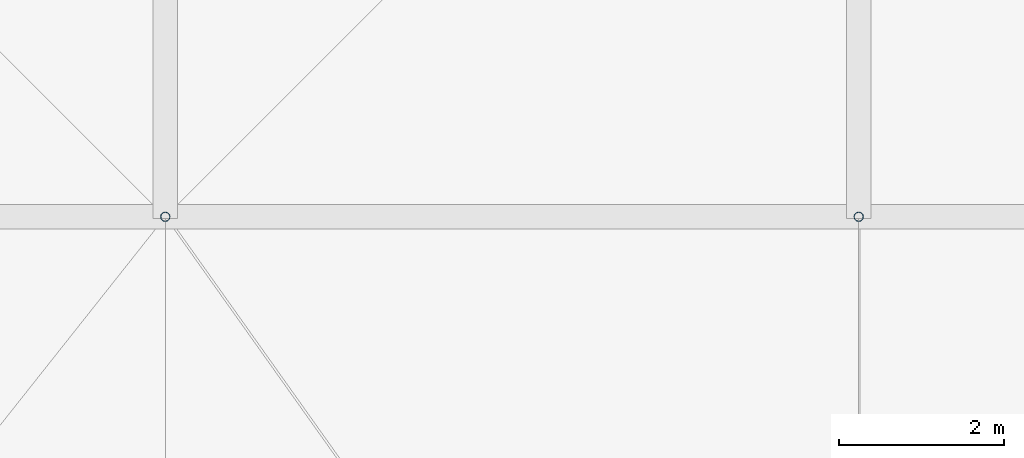
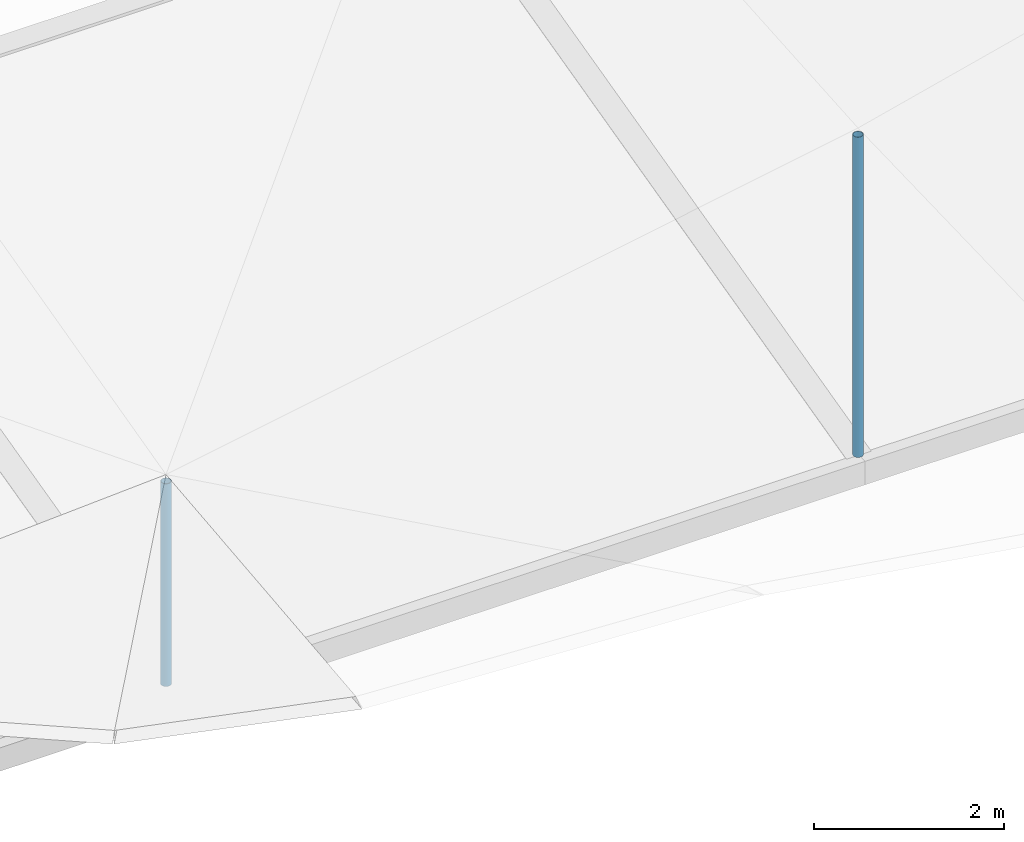
# One storey, part 26 of 111: 2 discrete accessories.
"""IFC4 building model written with IfcOpenShell, lengths in metres."""

from ifc_helpers import new_model, si_unit, direction, frame, origin, origin_2d, place, context, subcontext, project, spatial, hollow_circle, extrude, material, material_profile, profile_set, type_object, element, save


model = new_model("IFC4")

# Units and contexts
model_context = context("Model", 3, precision=1e-05, world=origin(), true_north=direction((0.0, 1.0)))
body_context = subcontext(model_context, "Body", "Model", "MODEL_VIEW")
ifc_project = project(units=[si_unit("LENGTHUNIT", "METRE"), si_unit("AREAUNIT", "SQUARE_METRE"), si_unit("VOLUMEUNIT", "CUBIC_METRE"), si_unit("PLANEANGLEUNIT", "RADIAN"), si_unit("MASSUNIT", "GRAM", prefix="KILO")], contexts=[model_context])

# Site, building, storey
site_placement = place(None, origin())
site = spatial("IfcSite", under=ifc_project, at=site_placement, CompositionType="ELEMENT")
building_placement = place(site_placement, origin())
building = spatial("IfcBuilding", under=site, at=building_placement, Name="Rain Tree Exposition and Congress Centre", CompositionType="ELEMENT")
storey_placement = place(building_placement, frame((0.0, 0.0, 19.5)))
storey = spatial("IfcBuildingStorey", under=building, at=storey_placement, Name="RF", CompositionType="ELEMENT", Elevation=19.5)

# Discrete accessories
ifc_material = material(Name="Steel S355J2H", Category="steel")
ifc_material_profile = material_profile(ifc_material, hollow_circle(Radius=0.05712890625, WallThickness=0.00439453125, at=origin_2d()), Name="CHS 114x4.5")
ifc_profile_set = profile_set([ifc_material_profile], Name="Steel S355J2H")
discrete_accessory_type = type_object("IfcDiscreteAccessoryType", Name="Roof skin post CHS 114x4.5", PredefinedType="BRACKET", material=ifc_profile_set)
discrete_accessory_1_placement = place(storey_placement, frame((33.60009765625, 109.199951171875, 1.11669921875), z_axis=(0.0, 0.0, 1.0), x_axis=(1.0, 0.0, 0.0)))
element("IfcDiscreteAccessory", 1, at=discrete_accessory_1_placement, inside=storey, type_object=discrete_accessory_type, Name="Roof skin post A19", PredefinedType="BRACKET", context=body_context, shape_type="SweptSolid", body=[
    extrude(hollow_circle(Radius=0.05712890625, WallThickness=0.00439453125, at=origin_2d()), origin(), (0.0, 0.0, 1.0), 2.601806640625),
])
discrete_accessory_2_placement = place(storey_placement, frame((42.0, 109.199951171875, 1.11669921875), z_axis=(0.0, 0.0, 1.0), x_axis=(1.0, 0.0, 0.0)))
element("IfcDiscreteAccessory", 2, at=discrete_accessory_2_placement, inside=storey, type_object=discrete_accessory_type, Name="Roof skin post A20", PredefinedType="BRACKET", context=body_context, shape_type="SweptSolid", body=[
    extrude(hollow_circle(Radius=0.05712890625, WallThickness=0.00439453125, at=origin_2d()), origin(), (0.0, 0.0, 1.0), 4.1083984375),
])

save(model, "model.ifc")
